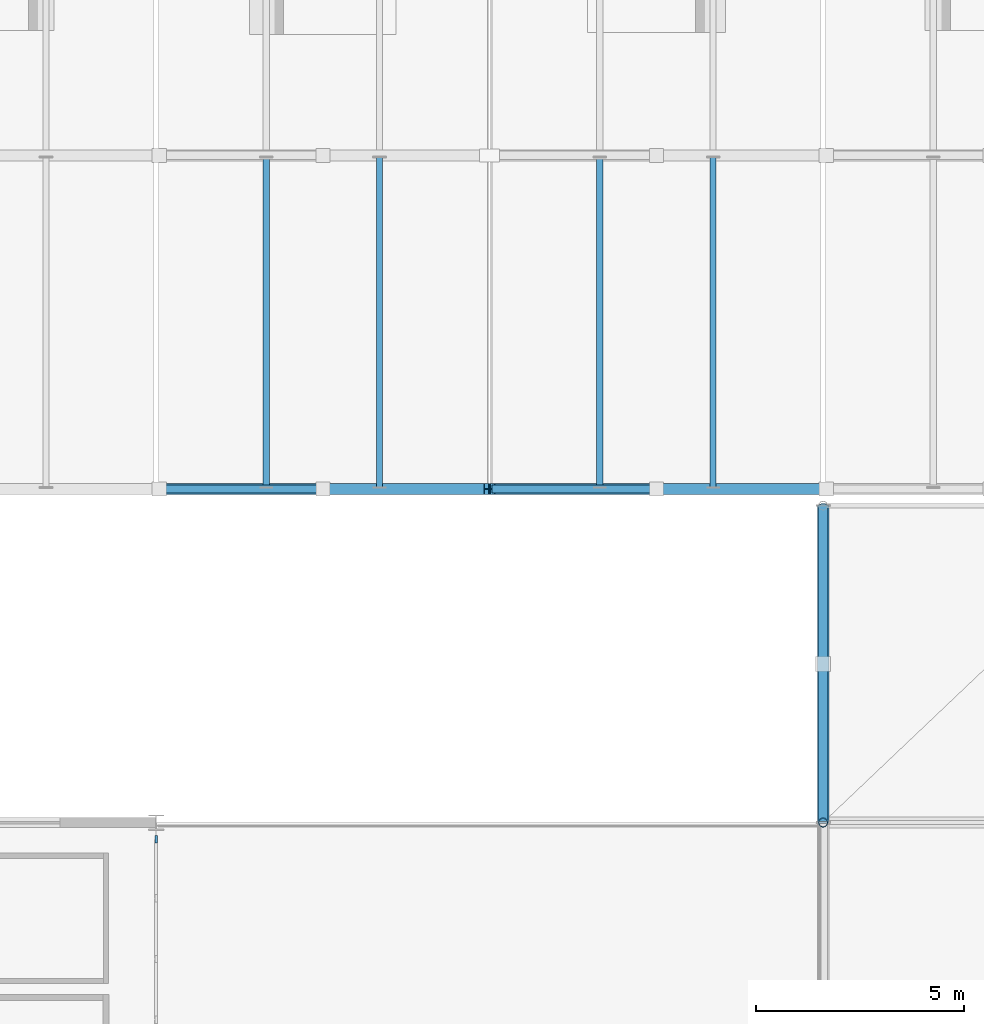
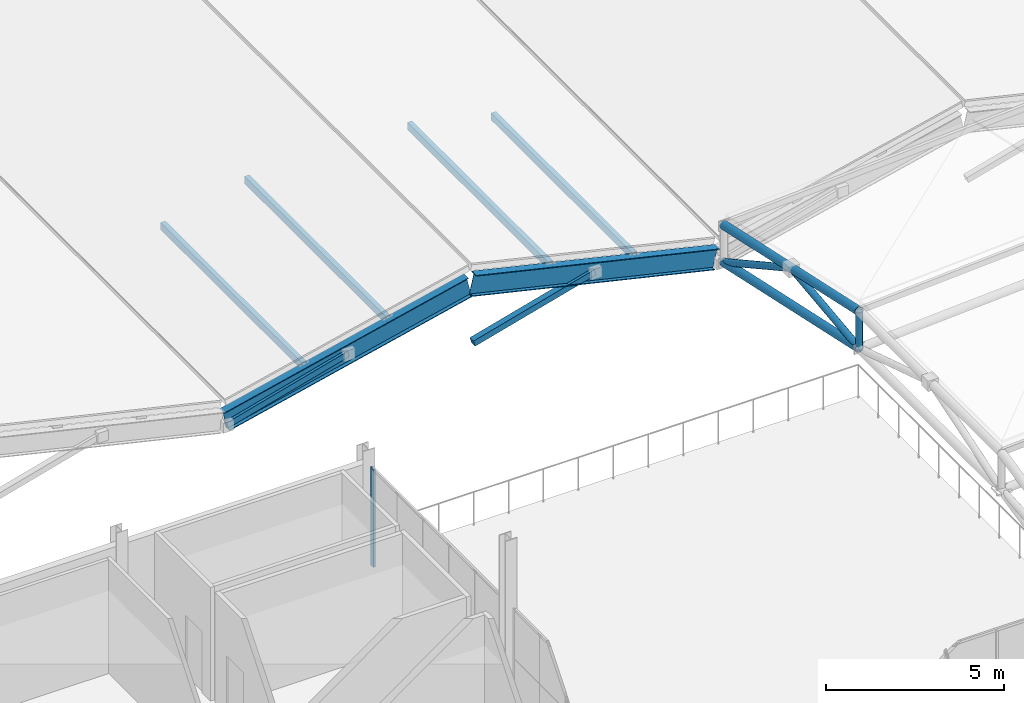
# One storey, part 11 of 67: 12 members, 2 beams, 1 element without a shape of its own.
"""IFC4 building model written with IfcOpenShell, lengths in metres."""

import ifcopenshell
import ifcopenshell.guid

model = None  # the IFC model being written
_history = None  # IfcOwnerHistory: only IFC2X3 demands one
_inside = {}  # id of a spatial element -> (the spatial element, [elements in it])
_under = {}  # id of a project, library or spatial element -> (it, [spatial elements below it])
_declared = {}  # id of a project -> (the project, [libraries it declares])
_typed = {}  # id of a type object -> (the type object, [elements of that type])
_made_of = {}  # id of a material, layer set ... -> (it, [elements and type objects made of it])


def new_model(schema):
    """Start an empty IFC model of exactly this schema.

    Asked for "IFC4X3", IfcOpenShell would pick the latest addendum, in which some entities
    have other attributes; the version numbers below select the first issue.
    IFC2X3 requires an IfcOwnerHistory on every rooted entity: one is made here for all.
    """
    global model, _history
    if schema == "IFC4X3":
        model = ifcopenshell.file(schema_version=(4, 3, 0, 0))
    else:
        model = ifcopenshell.file(schema=schema)
    _inside.clear()
    _under.clear()
    _declared.clear()
    _typed.clear()
    _made_of.clear()
    _history = None
    if model.schema == "IFC2X3":
        org = make("IfcOrganization", Name="unknown")
        user = make(
            "IfcPersonAndOrganization",
            ThePerson=make("IfcPerson", FamilyName="unknown"),
            TheOrganization=org,
        )
        app = make(
            "IfcApplication",
            ApplicationDeveloper=org,
            Version="unknown",
            ApplicationFullName="unknown",
            ApplicationIdentifier="unknown",
        )
        _history = make(
            "IfcOwnerHistory",
            OwningUser=user,
            OwningApplication=app,
            ChangeAction="ADDED",
            CreationDate=0,
        )
    return model


def make(cls, **values):
    """One entity of the class cls with the attributes given. An attribute that is None is left unset."""
    return model.create_entity(
        cls, **{name: value for name, value in values.items() if value is not None}
    )


def rooted(cls, **values):
    """An entity with a GlobalId (a new one), such as an element, a storey or a relation."""
    return make(cls, GlobalId=ifcopenshell.guid.new(), OwnerHistory=_history, **values)


def si_unit(unit_type, name, prefix=None):
    """IfcSIUnit, for example si_unit("LENGTHUNIT", "METRE", prefix="MILLI")."""
    return make("IfcSIUnit", UnitType=unit_type, Prefix=prefix, Name=name)


def assignment(units):
    """IfcUnitAssignment: the units of a project."""
    return None if units is None else make("IfcUnitAssignment", Units=units)


def point(xyz):
    """IfcCartesianPoint."""
    return None if xyz is None else make("IfcCartesianPoint", Coordinates=xyz)


def direction(xyz):
    """IfcDirection."""
    return None if xyz is None else make("IfcDirection", DirectionRatios=xyz)


def frame(location, z_axis=None, x_axis=None):
    """IfcAxis2Placement3D, a coordinate frame: its origin and axes. An axis left out is left unset."""
    return make(
        "IfcAxis2Placement3D",
        Location=point(location),
        Axis=direction(z_axis),
        RefDirection=direction(x_axis),
    )


def frame_2d(location, x_axis=None):
    """IfcAxis2Placement2D, a coordinate frame in the plane: its origin and x axis."""
    return make(
        "IfcAxis2Placement2D", Location=point(location), RefDirection=direction(x_axis)
    )


def origin():
    """The frame at (0, 0, 0) with its axes left unset."""
    return frame((0.0, 0.0, 0.0))


def origin_2d():
    """The frame at (0, 0) in the plane with its x axis left unset."""
    return frame_2d((0.0, 0.0))


def place(relative_to, where):
    """IfcLocalPlacement: puts the frame where relative to a parent placement (None: the world)."""
    return make(
        "IfcLocalPlacement", PlacementRelTo=relative_to, RelativePlacement=where
    )


def context(
    kind, dimensions, precision=None, world=None, true_north=None, identifier=None
):
    """IfcGeometricRepresentationContext, for example the 3D "Model" context."""
    return make(
        "IfcGeometricRepresentationContext",
        ContextIdentifier=identifier,
        ContextType=kind,
        CoordinateSpaceDimension=dimensions,
        Precision=precision,
        WorldCoordinateSystem=world,
        TrueNorth=true_north,
    )


def subcontext(parent, identifier, kind, view, scale=None):
    """IfcGeometricRepresentationSubContext, for example "Body" below "Model"."""
    return make(
        "IfcGeometricRepresentationSubContext",
        ContextIdentifier=identifier,
        ContextType=kind,
        ParentContext=parent,
        TargetScale=scale,
        TargetView=view,
    )


def project(units=None, contexts=None):
    """IfcProject with its units and contexts."""
    return rooted(
        "IfcProject",
        Name="project",
        RepresentationContexts=contexts,
        UnitsInContext=assignment(units),
    )


def spatial(cls, under=None, at=None, **own):
    """A site, building, storey or space (cls), placed at a placement, below another one or the project."""
    s = rooted(cls, ObjectPlacement=at, **own)
    if under is not None:
        _under.setdefault(under.id(), (under, []))[1].append(s)
    return s


def profile(cls, at=None, kind="AREA", **sizes):
    """A parametric profile (cls). Its sizes go by their IFC names, for example OverallWidth=200.0."""
    return make(cls, ProfileType=kind, Position=at, **sizes)


def rectangle(**sizes):
    """IfcRectangleProfileDef."""
    return profile("IfcRectangleProfileDef", **sizes)


def hollow_rectangle(**sizes):
    """IfcRectangleHollowProfileDef."""
    return profile("IfcRectangleHollowProfileDef", **sizes)


def hollow_circle(**sizes):
    """IfcCircleHollowProfileDef."""
    return profile("IfcCircleHollowProfileDef", **sizes)


def i_section(**sizes):
    """IfcIShapeProfileDef."""
    return profile("IfcIShapeProfileDef", **sizes)


def extrude(swept, where, along, depth):
    """IfcExtrudedAreaSolid: the profile swept, set in the frame where, extruded along a direction by depth."""
    return make(
        "IfcExtrudedAreaSolid",
        SweptArea=swept,
        Position=where,
        ExtrudedDirection=direction(along),
        Depth=depth,
    )


def shape(context_of_items, identifier, shape_type, items):
    """IfcShapeRepresentation: the items that make up one representation, for example the "Body"."""
    return make(
        "IfcShapeRepresentation",
        ContextOfItems=context_of_items,
        RepresentationIdentifier=identifier,
        RepresentationType=shape_type,
        Items=items,
    )


def material(Name=None, Category=None):
    """IfcMaterial."""
    return make("IfcMaterial", Name=Name, Category=Category)


def material_profile(
    of_material, cross_section, Name=None, Category=None, Priority=None
):
    """IfcMaterialProfile: a cross section and its material."""
    return make(
        "IfcMaterialProfile",
        Name=Name,
        Material=of_material,
        Profile=cross_section,
        Priority=Priority,
        Category=Category,
    )


def profile_set(profiles, Name=None, composite=None):
    """IfcMaterialProfileSet."""
    return make(
        "IfcMaterialProfileSet",
        Name=Name,
        MaterialProfiles=profiles,
        CompositeProfile=composite,
    )


def made_of(thing, what):
    """Note that an element or type object is made of a material, layer set ...; save() writes the relation."""
    if what is not None:
        _made_of.setdefault(what.id(), (what, []))[1].append(thing)
    return thing


def type_object(cls, material=None, **own):
    """A type object (cls), such as IfcWallType, which elements share."""
    return made_of(rooted(cls, **own), material)


def element(
    cls,
    number,
    at=None,
    inside=None,
    cuts=None,
    type_object=None,
    material=None,
    context=None,
    identifier="Body",
    shape_type=None,
    held_by="IfcProductDefinitionShape",
    body=None,
    shapes=None,
    **own,
):
    """One element of the class cls, such as IfcWall. Its Tag is "e" and its number.

    at: its placement. inside: the storey or other place that contains it. cuts: it is an
    opening in that element (IfcRelVoidsElement). A single representation is given by context,
    identifier, shape_type and body (its items); several are given by shapes. held_by: the class
    of the entity that holds the representations. save() writes the other relations.
    """
    e = rooted(cls, Tag="e%d" % number, ObjectPlacement=at, **own)
    if body is not None:
        shapes = [shape(context, identifier, shape_type, body)]
    if shapes is not None:
        e.Representation = make(held_by, Representations=shapes)
    if inside is not None:
        _inside.setdefault(inside.id(), (inside, []))[1].append(e)
    if cuts is not None:
        rooted(
            "IfcRelVoidsElement", RelatingBuildingElement=cuts, RelatedOpeningElement=e
        )
    if type_object is not None:
        _typed.setdefault(type_object.id(), (type_object, []))[1].append(e)
    return made_of(e, material)


def aggregate(whole, parts):
    """IfcRelAggregates: a whole, such as a stair, and the parts it consists of."""
    return rooted("IfcRelAggregates", RelatingObject=whole, RelatedObjects=parts)


def save(model, path):
    """Write the relations noted so far, then the file.

    IfcRelAggregates (storeys below a building ...), IfcRelContainedInSpatialStructure (elements
    in a storey), IfcRelDefinesByType, IfcRelAssociatesMaterial and IfcRelDeclares: one each for
    every whole, place, type object, material and project.
    """
    for whole, parts in _under.values():
        aggregate(whole, parts)
    for where, things in _inside.values():
        rooted(
            "IfcRelContainedInSpatialStructure",
            RelatedElements=things,
            RelatingStructure=where,
        )
    for kind, things in _typed.values():
        rooted("IfcRelDefinesByType", RelatedObjects=things, RelatingType=kind)
    for what, things in _made_of.values():
        rooted("IfcRelAssociatesMaterial", RelatedObjects=things, RelatingMaterial=what)
    for by, libraries in _declared.values():
        rooted("IfcRelDeclares", RelatingContext=by, RelatedDefinitions=libraries)
    model.write(path)


model = new_model("IFC4")

# Units and contexts
model_context = context("Model", 3, precision=1e-05, world=origin(), true_north=direction((0.0, 1.0)))
body_context = subcontext(model_context, "Body", "Model", "MODEL_VIEW")
ifc_project = project(units=[si_unit("LENGTHUNIT", "METRE"), si_unit("AREAUNIT", "SQUARE_METRE"), si_unit("VOLUMEUNIT", "CUBIC_METRE"), si_unit("PLANEANGLEUNIT", "RADIAN"), si_unit("MASSUNIT", "GRAM", prefix="KILO")], contexts=[model_context])

# Site, building, storey
site_placement = place(None, origin())
site = spatial("IfcSite", under=ifc_project, at=site_placement, CompositionType="ELEMENT")
building_placement = place(site_placement, origin())
building = spatial("IfcBuilding", under=site, at=building_placement, Name="Drelvath Fold Interchange", CompositionType="ELEMENT")
storey_placement = place(building_placement, frame((0.0, 0.0, 15.60009765625)))
storey = spatial("IfcBuildingStorey", under=building, at=storey_placement, Name="L03", CompositionType="ELEMENT", Elevation=15.60009765625)

# Beams
ifc_material_1 = material(Name="Steel ASTM A992 Grade 50", Category="steel")
ifc_material_profile_1 = material_profile(ifc_material_1, i_section(OverallWidth=0.256103515625, OverallDepth=0.693115234375, WebThickness=0.014404296875, FlangeThickness=0.023681640625, at=origin_2d()), Name="W27X114")
ifc_profile_set_1 = profile_set([ifc_material_profile_1], Name="Steel ASTM A992 Grade 50")
beam_type = type_object("IfcBeamType", Name="BM-W27X114", PredefinedType="BEAM", material=ifc_profile_set_1)
for number, where, z_axis, x_axis, name in (
    (1, (36.050048828125, 59.0, -0.10009765625), (0.973655780122, 0.0, 0.228022853754), (0.0, 1.0, 0.0), "Folded-plate roof truss rafter"),
    (2, (44.050048828125, 59.0, 1.75), (0.973655780122, 0.0, -0.228022853754), (0.0, 1.0, 0.0), "Folded-plate roof truss rafter"),
):
    element("IfcBeam", number, at=place(storey_placement, frame(where, z_axis=z_axis, x_axis=x_axis)), inside=storey, type_object=beam_type, Name=name, PredefinedType="BEAM", context=body_context, shape_type="SweptSolid", body=[
        extrude(i_section(OverallWidth=0.256103515625, OverallDepth=0.693115234375, WebThickness=0.014404296875, FlangeThickness=0.023681640625, at=origin_2d()), origin(), (0.0, 0.0, 1.0), 8.11376953125),
    ])

# Members
ifc_material_2 = material(Name="Steel ASTM A500 Grade C", Category="steel")
ifc_material_profile_2 = material_profile(ifc_material_2, hollow_rectangle(XDim=0.202880859375, YDim=0.202880859375, WallThickness=0.0087890625, at=origin_2d()), Name="HSS8X8X3/8")
ifc_profile_set_2 = profile_set([ifc_material_profile_2], Name="Steel ASTM A500 Grade C")
member_type_1 = type_object("IfcMemberType", Name="FP-WEB203", PredefinedType="BRACE", material=ifc_profile_set_2)
for number, where, z_axis, x_axis, name in (
    (3, (36.080078125, 59.0, -0.25), (0.964395563634, 0.0, 0.264463980237), (0.0, 1.0, 0.0), "L03 Folded-plate roof truss web brace FP-WEB203"),
    (4, (44.080078125, 59.0, -0.25), (0.964395563634, 0.0, 0.264463980237), (0.0, 1.0, 0.0), "L03 Folded-plate roof truss web brace FP-WEB203"),
):
    element("IfcMember", number, at=place(storey_placement, frame(where, z_axis=z_axis, x_axis=x_axis)), inside=storey, type_object=member_type_1, Name=name, PredefinedType="BRACE", context=body_context, shape_type="SweptSolid", body=[
        extrude(hollow_rectangle(XDim=0.202880859375, YDim=0.202880859375, WallThickness=0.0087890625, at=origin_2d()), origin(), (0.0, 0.0, 1.0), 4.064697265625),
    ])

# Curtain wall, member
ifc_material_3 = material(Name="Anodized Aluminium 6063-T6", Category="aluminium")
curtain_wall_type = type_object("IfcCurtainWallType", Name="CW-OPS-UPP", PredefinedType="USERDEFINED", material=ifc_material_3)
curtain_wall_placement = place(storey_placement, origin())
curtain_wall = element("IfcCurtainWall", 5, at=curtain_wall_placement, inside=storey, type_object=curtain_wall_type, Name="Curtain wall CW-V5-L03-E36-43", ObjectType="UNITISED CURTAIN WALL", PredefinedType="USERDEFINED")
ifc_material_profile_3 = material_profile(ifc_material_3, rectangle(XDim=0.06005859375, YDim=0.175048828125, at=origin_2d()), Name="AL-M 60x175")
ifc_profile_set_3 = profile_set([ifc_material_profile_3], Name="Anodized Aluminium 6063-T6")
member_type_2 = type_object("IfcMemberType", Name="ML-175", PredefinedType="MULLION", material=ifc_profile_set_3)
member_1_placement = place(storey_placement, frame((36.0, 50.60009765625, 0.0), z_axis=(0.0, 0.0, 1.0), x_axis=(1.0, 0.0, 0.0)))
member_1 = element("IfcMember", 6, at=member_1_placement, type_object=member_type_2, Name="CW-V5-L03-E36-43 mullion 5", PredefinedType="MULLION", context=body_context, shape_type="SweptSolid", body=[
    extrude(rectangle(XDim=0.06005859375, YDim=0.175048828125, at=origin_2d()), origin(), (0.0, 0.0, 1.0), 3.349853515625),
])
aggregate(curtain_wall, [member_1])

# Members
ifc_material_profile_4 = material_profile(ifc_material_2, hollow_rectangle(XDim=0.152099609375, YDim=0.25390625, WallThickness=0.0087890625, at=origin_2d()), Name="HSS10X6X3/8")
ifc_profile_set_4 = profile_set([ifc_material_profile_4], Name="Steel ASTM A500 Grade C")
member_type_3 = type_object("IfcMemberType", Name="PR-HSS254", PredefinedType="PURLIN", material=ifc_profile_set_4)
for number, where, z_axis, x_axis, name in (
    (7, (38.639892578125, 59.0400390625, 0.827880859375), (0.0, 1.0, 0.0), (-1.0, 0.0, 0.0), "L03 Folded-plate roof purlin PR-HSS254"),
    (8, (41.360107421875, 59.0400390625, 1.456787109375), (0.0, 1.0, 0.0), (-1.0, 0.0, 0.0), "L03 Folded-plate roof purlin PR-HSS254"),
    (9, (46.639892578125, 59.0400390625, 1.456787109375), (0.0, 1.0, 0.0), (-1.0, 0.0, 0.0), "L03 Folded-plate roof purlin PR-HSS254"),
    (10, (49.360107421875, 59.0400390625, 0.827880859375), (0.0, 1.0, 0.0), (-1.0, 0.0, 0.0), "L03 Folded-plate roof purlin PR-HSS254"),
):
    element("IfcMember", number, at=place(storey_placement, frame(where, z_axis=z_axis, x_axis=x_axis)), inside=storey, type_object=member_type_3, Name=name, PredefinedType="PURLIN", context=body_context, shape_type="SweptSolid", body=[
        extrude(hollow_rectangle(XDim=0.152099609375, YDim=0.25390625, WallThickness=0.0087890625, at=origin_2d()), origin(), (0.0, 0.0, 1.0), 7.919921875),
    ])
ifc_material_profile_5 = material_profile(ifc_material_2, hollow_circle(Radius=0.136474609375, WallThickness=0.01171875, at=origin_2d()), Name="HSS10.750X0.500")
ifc_profile_set_5 = profile_set([ifc_material_profile_5], Name="Steel ASTM A500 Grade C")
member_type_4 = type_object("IfcMemberType", Name="SF-CHD273", PredefinedType="CHORD", material=ifc_profile_set_5)
for number, where, z_axis, x_axis, name in (
    (11, (52.0, 51.0, 1.617919921875), (0.0, 0.977048433435, -0.213017273297), (-1.0, 0.0, 0.0), "L03 Space frame wall ledger chord SF-CHD273"),
    (12, (52.0, 51.0, 2.887939453125), (0.0, 0.977048433435, -0.213017273297), (-1.0, 0.0, 0.0), "L03 Space frame roof truss upper chord SF-CHD273"),
):
    element("IfcMember", number, at=place(storey_placement, frame(where, z_axis=z_axis, x_axis=x_axis)), inside=storey, type_object=member_type_4, Name=name, PredefinedType="CHORD", context=body_context, shape_type="SweptSolid", body=[
        extrude(hollow_circle(Radius=0.136474609375, WallThickness=0.01171875, at=origin_2d()), origin(), (0.0, 0.0, 1.0), 7.778564453125),
    ])
ifc_material_profile_6 = material_profile(ifc_material_2, hollow_circle(Radius=0.109619140625, WallThickness=0.0087890625, at=origin_2d()), Name="HSS8.625X0.375")
ifc_profile_set_6 = profile_set([ifc_material_profile_6], Name="Steel ASTM A500 Grade C")
member_type_5 = type_object("IfcMemberType", Name="SF-WEB219", PredefinedType="BRACE", material=ifc_profile_set_6)
member_2_placement = place(storey_placement, frame((52.0, 51.0, 1.617919921875), z_axis=(0.0, 0.993306528931, 0.115508179722), x_axis=(-1.0, 0.0, 0.0)))
element("IfcMember", 13, at=member_2_placement, inside=storey, type_object=member_type_5, Name="L03 Space frame roof truss web brace SF-WEB219", PredefinedType="BRACE", context=body_context, shape_type="SweptSolid", body=[
    extrude(hollow_circle(Radius=0.109619140625, WallThickness=0.0087890625, at=origin_2d()), origin(), (0.0, 0.0, 1.0), 3.82568359375),
])
member_3_placement = place(storey_placement, frame((52.0, 54.800048828125, 2.059814453125), z_axis=(0.0, 0.875353660911, -0.483483162406), x_axis=(-1.0, 0.0, 0.0)))
element("IfcMember", 14, at=member_3_placement, inside=storey, type_object=member_type_5, Name="L03 Space frame roof truss web brace SF-WEB219", PredefinedType="BRACE", context=body_context, shape_type="SweptSolid", body=[
    extrude(hollow_circle(Radius=0.109619140625, WallThickness=0.0087890625, at=origin_2d()), origin(), (0.0, 0.0, 1.0), 4.341064453125),
])
member_4_placement = place(storey_placement, frame((52.0, 51.0, 1.617919921875), z_axis=(0.0, 0.0, 1.0), x_axis=(1.0, 0.0, 0.0)))
element("IfcMember", 15, at=member_4_placement, inside=storey, type_object=member_type_5, Name="L03 Space frame roof truss web brace SF-WEB219", PredefinedType="BRACE", context=body_context, shape_type="SweptSolid", body=[
    extrude(hollow_circle(Radius=0.109619140625, WallThickness=0.0087890625, at=origin_2d()), origin(), (0.0, 0.0, 1.0), 1.27001953125),
])

save(model, "model.ifc")
